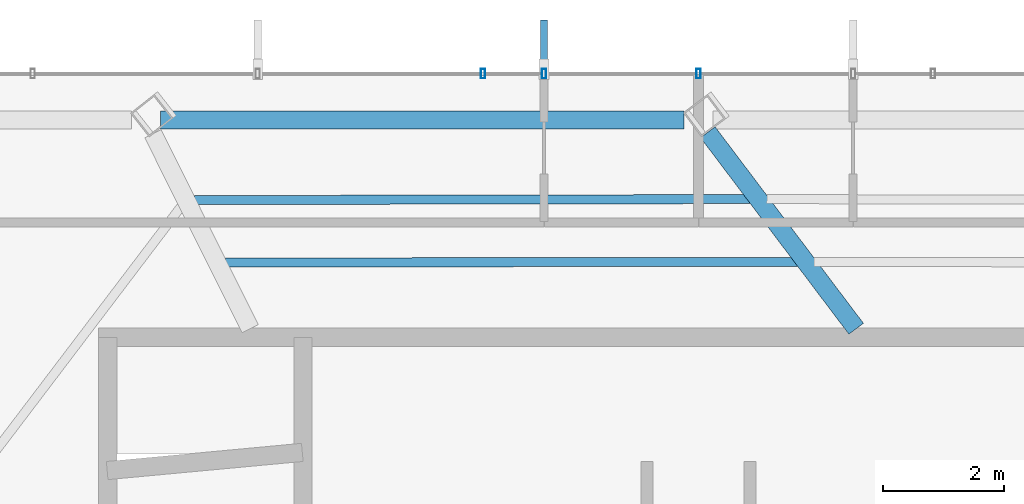
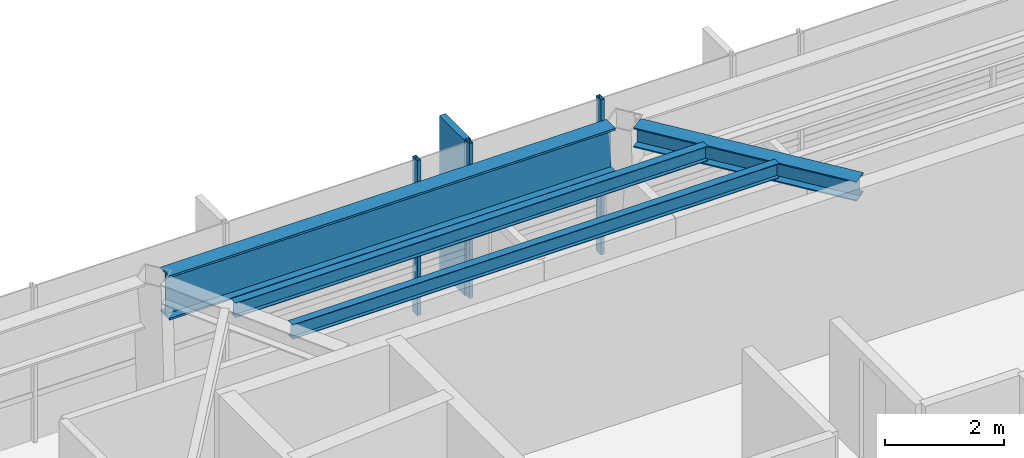
# One storey, part 13 of 25: 4 beams, 4 members, 1 element without a shape of its own.
"""IFC4 building model written with IfcOpenShell, lengths in metres."""

from ifc_helpers import new_model, si_unit, direction, frame, origin, origin_2d, place, context, subcontext, project, spatial, rectangle, hollow_rectangle, i_section, extrude, material, layer, layer_set, material_profile, profile_set, type_object, element, aggregate, save


model = new_model("IFC4")

# Units and contexts
model_context = context("Model", 3, precision=1e-05, world=origin(), true_north=direction((0.0, 1.0)))
body_context = subcontext(model_context, "Body", "Model", "MODEL_VIEW")
ifc_project = project(units=[si_unit("LENGTHUNIT", "METRE"), si_unit("AREAUNIT", "SQUARE_METRE"), si_unit("VOLUMEUNIT", "CUBIC_METRE"), si_unit("PLANEANGLEUNIT", "RADIAN"), si_unit("MASSUNIT", "GRAM", prefix="KILO")], contexts=[model_context])

# Site, building, storey
site_placement = place(None, origin())
site = spatial("IfcSite", under=ifc_project, at=site_placement, CompositionType="ELEMENT")
building_placement = place(site_placement, origin())
building = spatial("IfcBuilding", under=site, at=building_placement, Name="Zarrinselat Tower", CompositionType="ELEMENT")
storey_placement = place(building_placement, frame((0.0, 0.0, 275.39990234375)))
storey = spatial("IfcBuildingStorey", under=building, at=storey_placement, Name="L70", CompositionType="ELEMENT", Elevation=275.39990234375)

# Beams
ifc_material_1 = material(Name="Steel S355J2", Category="steel")
ifc_material_profile_1 = material_profile(ifc_material_1, i_section(OverallWidth=0.300048828125, OverallDepth=0.39990234375, WebThickness=0.013427734375, FlangeThickness=0.02392578125, at=origin_2d()), Name="HEB 400")
ifc_profile_set_1 = profile_set([ifc_material_profile_1], Name="Steel S355J2")
beam_type_1 = type_object("IfcBeamType", Name="BM-HEB400", PredefinedType="BEAM", material=ifc_profile_set_1)
beam_1_placement = place(storey_placement, frame((38.552001953125, 46.7822265625, 2.97998046875), z_axis=(0.602573766086, -0.798063190747, 0.0), x_axis=(0.798063190747, 0.602573766086, 0.0)))
element("IfcBeam", 1, at=beam_1_placement, inside=storey, type_object=beam_type_1, Name="L70 Radial Primary Girder RG03", PredefinedType="BEAM", context=body_context, shape_type="SweptSolid", body=[
    extrude(i_section(OverallWidth=0.300048828125, OverallDepth=0.39990234375, WebThickness=0.013427734375, FlangeThickness=0.02392578125, at=origin_2d()), origin(), (0.0, 0.0, 1.0), 4.0625),
])
ifc_material_2 = material(Name="Steel S460M", Category="steel")
ifc_material_profile_2 = material_profile(ifc_material_2, i_section(OverallWidth=0.302001953125, OverallDepth=0.909912109375, WebThickness=0.02099609375, FlangeThickness=0.0400390625, at=origin_2d()), Name="HEM 900")
ifc_profile_set_2 = profile_set([ifc_material_profile_2], Name="Steel S460M")
beam_type_2 = type_object("IfcBeamType", Name="BM-HEM900", PredefinedType="BEAM", material=ifc_profile_set_2)
beam_2_placement = place(storey_placement, frame((29.521484375, 46.9833984375, 2.72509765625), z_axis=(1.0, 0.0, 0.0), x_axis=(0.0, 1.0, 0.0)))
element("IfcBeam", 2, at=beam_2_placement, inside=storey, type_object=beam_type_2, Name="L70 Perimeter Spandrel Girder SP03", PredefinedType="BEAM", context=body_context, shape_type="SweptSolid", body=[
    extrude(i_section(OverallWidth=0.302001953125, OverallDepth=0.909912109375, WebThickness=0.02099609375, FlangeThickness=0.0400390625, at=origin_2d()), origin(), (0.0, 0.0, 1.0), 8.640625),
])
ifc_material_3 = material(Name="Steel S355J2", Category="steel")
ifc_material_profile_3 = material_profile(ifc_material_3, i_section(OverallWidth=0.14990234375, OverallDepth=0.300048828125, WebThickness=0.007080078125, FlangeThickness=0.0107421875, at=origin_2d()), Name="IPE 300")
ifc_profile_set_3 = profile_set([ifc_material_profile_3], Name="Steel S355J2")
beam_type_3 = type_object("IfcBeamType", Name="BM-IPE300", PredefinedType="JOIST", material=ifc_profile_set_3)
beam_3_placement = place(storey_placement, frame((30.081298828125, 45.6640625, 3.030029296875), z_axis=(0.99999854613, 0.001705209074, 0.0), x_axis=(-0.001705209074, 0.99999854613, 0.0)))
element("IfcBeam", 3, at=beam_3_placement, inside=storey, type_object=beam_type_3, Name="L70 Composite Floor Joist 7-1", PredefinedType="JOIST", context=body_context, shape_type="SweptSolid", body=[
    extrude(i_section(OverallWidth=0.14990234375, OverallDepth=0.300048828125, WebThickness=0.007080078125, FlangeThickness=0.0107421875, at=origin_2d()), origin(), (0.0, 0.0, 1.0), 9.1630859375),
])
beam_4_placement = place(storey_placement, frame((30.594482421875, 44.63427734375, 3.030029296875), z_axis=(0.999999657042, 0.000828199933, 0.0), x_axis=(-0.000828199933, 0.999999657042, 0.0)))
element("IfcBeam", 4, at=beam_4_placement, inside=storey, type_object=beam_type_3, Name="L70 Composite Floor Joist 7-2", PredefinedType="JOIST", context=body_context, shape_type="SweptSolid", body=[
    extrude(i_section(OverallWidth=0.14990234375, OverallDepth=0.300048828125, WebThickness=0.007080078125, FlangeThickness=0.0107421875, at=origin_2d()), origin(), (0.0, 0.0, 1.0), 9.43310546875),
])

# Curtain wall, members
ifc_material_4 = material(Name="Extruded Aluminium Alloy EN AW-6063 T6", Category="aluminium")
ifc_layer = layer(ifc_material_4, 0.169921875)
ifc_layer_set = layer_set([ifc_layer], Name="Extruded Aluminium Alloy EN AW-6063 T6")
curtain_wall_type = type_object("IfcCurtainWallType", Name="CWS-RES", PredefinedType="NOTDEFINED", material=ifc_layer_set)
curtain_wall_placement = place(storey_placement, origin())
curtain_wall = element("IfcCurtainWall", 5, at=curtain_wall_placement, inside=storey, type_object=curtain_wall_type, Name="L70 Unitised Curtain Wall CW-L70-E01", PredefinedType="NOTDEFINED")
ifc_material_5 = material(Name="Extruded Aluminium Alloy EN AW-6063 T6", Category="aluminium")
ifc_material_profile_4 = material_profile(ifc_material_5, hollow_rectangle(XDim=0.070068359375, YDim=0.159912109375, WallThickness=0.00390625, at=origin_2d()), Name="RHS 160x70x4")
ifc_profile_set_4 = profile_set([ifc_material_profile_4], Name="Extruded Aluminium Alloy EN AW-6063 T6")
member_type_1 = type_object("IfcMemberType", Name="MEM-CW-MUL2", PredefinedType="MULLION", material=ifc_profile_set_4)
member_1_placement = place(storey_placement, frame((38.39990234375, 47.75, 0.0), z_axis=(0.0, 0.0, 1.0), x_axis=(-1.0, 0.0, 0.0)))
member_1 = element("IfcMember", 6, at=member_1_placement, type_object=member_type_1, Name="CW-L70-E01 Mullion 6", PredefinedType="MULLION", context=body_context, shape_type="SweptSolid", body=[
    extrude(hollow_rectangle(XDim=0.070068359375, YDim=0.159912109375, WallThickness=0.00390625, at=origin_2d()), origin(), (0.0, 0.0, 1.0), 3.18017578125),
])
member_2_placement = place(storey_placement, frame((35.85009765625, 47.75, 0.0), z_axis=(0.0, 0.0, 1.0), x_axis=(-1.0, 0.0, 0.0)))
member_2 = element("IfcMember", 7, at=member_2_placement, type_object=member_type_1, Name="CW-L70-E01 Mullion 7", PredefinedType="MULLION", context=body_context, shape_type="SweptSolid", body=[
    extrude(hollow_rectangle(XDim=0.070068359375, YDim=0.159912109375, WallThickness=0.00390625, at=origin_2d()), origin(), (0.0, 0.0, 1.0), 3.18017578125),
])
member_3_placement = place(storey_placement, frame((34.8408203125, 47.75, 0.0), z_axis=(0.0, 0.0, 1.0), x_axis=(-1.0, 0.0, 0.0)))
member_3 = element("IfcMember", 8, at=member_3_placement, type_object=member_type_1, Name="CW-L70-E01 Mullion 8", PredefinedType="MULLION", context=body_context, shape_type="SweptSolid", body=[
    extrude(hollow_rectangle(XDim=0.070068359375, YDim=0.159912109375, WallThickness=0.00390625, at=origin_2d()), origin(), (0.0, 0.0, 1.0), 3.18017578125),
])
ifc_material_6 = material(Name="Honed Cream Travertine Stone", Category="masonry")
ifc_material_profile_5 = material_profile(ifc_material_6, rectangle(XDim=0.1201171875, YDim=0.85009765625, at=origin_2d()), Name="FIN 850x120")
ifc_profile_set_5 = profile_set([ifc_material_profile_5], Name="Honed Cream Travertine Stone")
member_type_2 = type_object("IfcMemberType", Name="MEM-STONE-FIN", PredefinedType="USERDEFINED", material=ifc_profile_set_5)
member_4_placement = place(storey_placement, frame((35.85009765625, 48.2099609375, 0.0), z_axis=(0.0, 0.0, 1.0), x_axis=(1.0, 0.0, 0.0)))
member_4 = element("IfcMember", 9, at=member_4_placement, type_object=member_type_2, Name="L70 Stone Shading Fin CW-L70-E01-07", ObjectType="FIN", PredefinedType="USERDEFINED", context=body_context, shape_type="SweptSolid", body=[
    extrude(rectangle(XDim=0.1201171875, YDim=0.85009765625, at=origin_2d()), origin(), (0.0, 0.0, 1.0), 3.18017578125),
])
aggregate(curtain_wall, [member_1, member_2, member_4, member_3])

save(model, "model.ifc")
